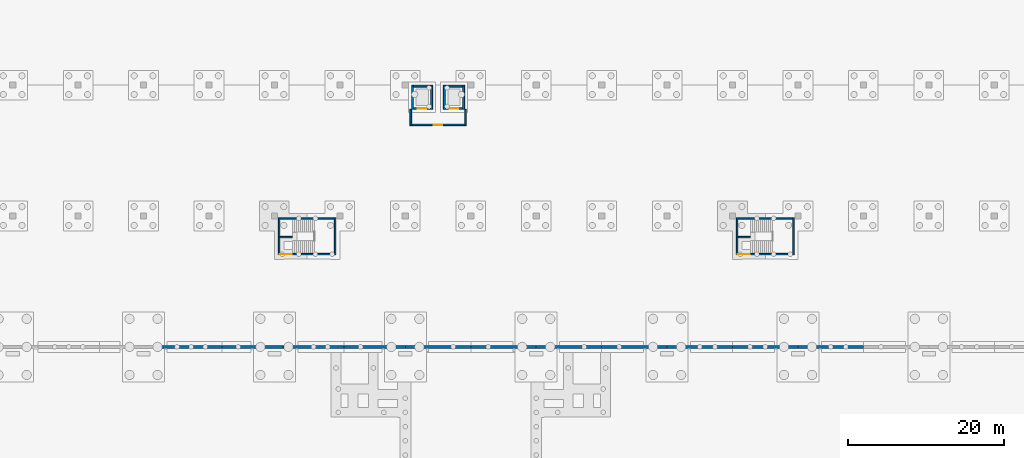
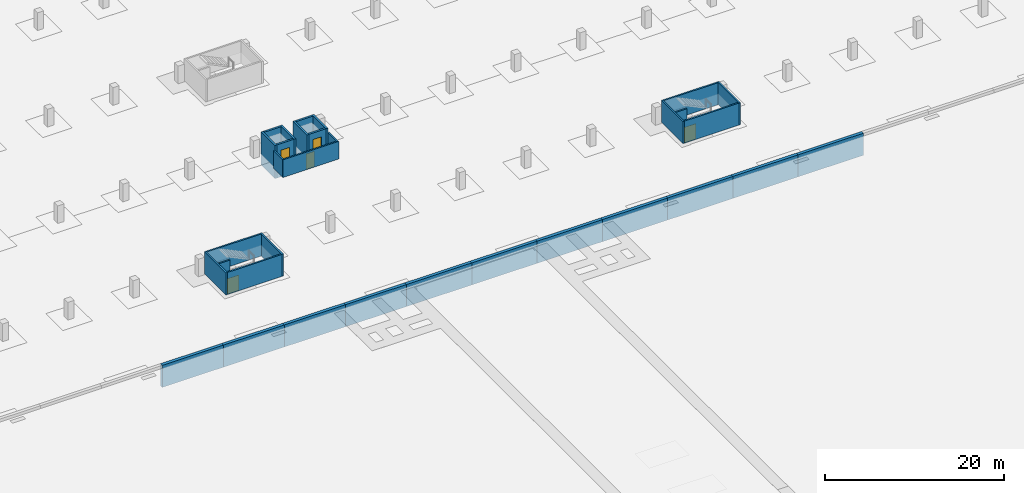
# One storey, part 42 of 67: 32 walls, 5 doors, 5 openings.
"""IFC4 building model written with IfcOpenShell, lengths in metres."""

from ifc_helpers import new_model, si_unit, direction, frame, frame_2d, origin, place, context, subcontext, project, spatial, rectangle, extrude, material, layer, layer_set, type_object, element, fill, save


model = new_model("IFC4")

# Units and contexts
model_context = context("Model", 3, precision=1e-05, world=origin(), true_north=direction((0.0, 1.0)))
body_context = subcontext(model_context, "Body", "Model", "MODEL_VIEW")
ifc_project = project(units=[si_unit("LENGTHUNIT", "METRE"), si_unit("AREAUNIT", "SQUARE_METRE"), si_unit("VOLUMEUNIT", "CUBIC_METRE"), si_unit("PLANEANGLEUNIT", "RADIAN"), si_unit("MASSUNIT", "GRAM", prefix="KILO")], contexts=[model_context])

# Site, building, storey
site_placement = place(None, origin())
site = spatial("IfcSite", under=ifc_project, at=site_placement, CompositionType="ELEMENT")
building_placement = place(site_placement, origin())
building = spatial("IfcBuilding", under=site, at=building_placement, Name="Rain Tree Exposition and Congress Centre", CompositionType="ELEMENT")
storey_placement = place(building_placement, frame((0.0, 0.0, -3.0)))
storey = spatial("IfcBuildingStorey", under=building, at=storey_placement, Name="B1", CompositionType="ELEMENT", Elevation=-3.0)

# Walls
ifc_material_1 = material(Name="Concrete C40/50", Category="concrete")
ifc_layer_1 = layer(ifc_material_1, 0.199951171875)
ifc_layer_set_1 = layer_set([ifc_layer_1], Name="Concrete C40/50")
wall_type_1 = type_object("IfcWallType", Name="Exit stair wall 200", PredefinedType="PARTITIONING", material=ifc_layer_set_1)
for number, where, z_axis, x_axis, name in (
    (1, (109.800048828125, 213.39990234375, 0.0), (0.0, 0.0, 1.0), (0.0, 1.0, 0.0), "Exit stair N02 wall west"),
    (2, (117.0, 213.39990234375, 0.0), (0.0, 0.0, 1.0), (0.0, 1.0, 0.0), "Exit stair N02 wall east"),
):
    element("IfcWall", number, at=place(storey_placement, frame(where, z_axis=z_axis, x_axis=x_axis)), inside=storey, type_object=wall_type_1, Name=name, PredefinedType="SOLIDWALL", context=body_context, shape_type="SweptSolid", body=[
        extrude(rectangle(XDim=4.800048828125, YDim=0.199951171875, at=frame_2d((2.39990234375, 0.0))), origin(), (0.0, 0.0, 1.0), 3.0),
    ])

# Wall, opening, door
wall_1_placement = place(storey_placement, frame((109.89990234375, 213.5, 0.0), z_axis=(0.0, 0.0, 1.0), x_axis=(1.0, 0.0, 0.0)))
wall_1 = element("IfcWall", 3, at=wall_1_placement, inside=storey, type_object=wall_type_1, Name="Exit stair N02 wall south", PredefinedType="SOLIDWALL", context=body_context, shape_type="SweptSolid", body=[
    extrude(rectangle(XDim=7.0, YDim=0.199951171875, at=frame_2d((3.5, 0.0))), origin(), (0.0, 0.0, 1.0), 3.0),
])
opening_1_placement = place(wall_1_placement, origin())
opening_1 = element("IfcOpeningElement", 4, at=opening_1_placement, cuts=wall_1, Name="Opening DS141", PredefinedType="OPENING", context=body_context, shape_type="SweptSolid", body=[
    extrude(rectangle(XDim=1.5, YDim=2.10009765625, at=frame_2d((0.75, 1.050048828125))), frame((0.0, 0.10009765625, 0.0), z_axis=(0.0, -1.0, 0.0), x_axis=(1.0, 0.0, 0.0)), (0.0, 0.0, 1.0), 0.199951171875),
])
ifc_material_2 = material(Name="Powder-coated steel", Category="steel")
door_type_1 = type_object("IfcDoorType", Name="Exit stair door 1500x2100", OperationType="NOTDEFINED", PredefinedType="DOOR", material=ifc_material_2)
door_1_placement = place(opening_1_placement, origin())
door_1 = element("IfcDoor", 5, at=door_1_placement, inside=storey, type_object=door_type_1, Name="Exit stair N02 door B1", OperationType="SINGLE_SWING_LEFT", OverallHeight=2.10009765625, OverallWidth=1.5, PredefinedType="DOOR", context=body_context, shape_type="SweptSolid", body=[
    extrude(rectangle(XDim=1.5, YDim=2.10009765625, at=frame_2d((0.75, 1.050048828125))), frame((0.0, 0.02490234375, 0.0), z_axis=(0.0, -1.0, 0.0), x_axis=(1.0, 0.0, 0.0)), (0.0, 0.0, 1.0), 0.050048828125),
])
fill(opening_1, door_1)

# Walls
wall_2_placement = place(storey_placement, frame((109.89990234375, 218.10009765625, 0.0), z_axis=(0.0, 0.0, 1.0), x_axis=(1.0, 0.0, 0.0)))
element("IfcWall", 6, at=wall_2_placement, inside=storey, type_object=wall_type_1, Name="Exit stair N02 wall north", PredefinedType="SOLIDWALL", context=body_context, shape_type="SweptSolid", body=[
    extrude(rectangle(XDim=7.0, YDim=0.199951171875, at=frame_2d((3.5, 0.0))), origin(), (0.0, 0.0, 1.0), 3.0),
])
wall_3_placement = place(storey_placement, frame((109.89990234375, 215.699951171875, 0.0), z_axis=(0.0, 0.0, 1.0), x_axis=(1.0, 0.0, 0.0)))
element("IfcWall", 7, at=wall_3_placement, inside=storey, type_object=wall_type_1, Name="Exit stair N02 landing support", PredefinedType="SOLIDWALL", context=body_context, shape_type="SweptSolid", body=[
    extrude(rectangle(XDim=1.60009765625, YDim=0.199951171875, at=frame_2d((0.800048828125, 0.0))), origin(), (0.0, 0.0, 1.0), 2.800048828125),
])
for number, where, z_axis, x_axis, name in (
    (8, (168.60009765625, 213.39990234375, 0.0), (0.0, 0.0, 1.0), (0.0, 1.0, 0.0), "Exit stair N03 wall west"),
    (9, (175.800048828125, 213.39990234375, 0.0), (0.0, 0.0, 1.0), (0.0, 1.0, 0.0), "Exit stair N03 wall east"),
):
    element("IfcWall", number, at=place(storey_placement, frame(where, z_axis=z_axis, x_axis=x_axis)), inside=storey, type_object=wall_type_1, Name=name, PredefinedType="SOLIDWALL", context=body_context, shape_type="SweptSolid", body=[
        extrude(rectangle(XDim=4.800048828125, YDim=0.199951171875, at=frame_2d((2.39990234375, 0.0))), origin(), (0.0, 0.0, 1.0), 3.0),
    ])

# Wall, opening, door
wall_4_placement = place(storey_placement, frame((168.699951171875, 213.5, 0.0), z_axis=(0.0, 0.0, 1.0), x_axis=(1.0, 0.0, 0.0)))
wall_4 = element("IfcWall", 10, at=wall_4_placement, inside=storey, type_object=wall_type_1, Name="Exit stair N03 wall south", PredefinedType="SOLIDWALL", context=body_context, shape_type="SweptSolid", body=[
    extrude(rectangle(XDim=7.0, YDim=0.199951171875, at=frame_2d((3.5, 0.0))), origin(), (0.0, 0.0, 1.0), 3.0),
])
opening_2_placement = place(wall_4_placement, origin())
opening_2 = element("IfcOpeningElement", 11, at=opening_2_placement, cuts=wall_4, Name="Opening DS143", PredefinedType="OPENING", context=body_context, shape_type="SweptSolid", body=[
    extrude(rectangle(XDim=1.5, YDim=2.10009765625, at=frame_2d((0.75, 1.050048828125))), frame((0.0, 0.10009765625, 0.0), z_axis=(0.0, -1.0, 0.0), x_axis=(1.0, 0.0, 0.0)), (0.0, 0.0, 1.0), 0.199951171875),
])
door_2_placement = place(opening_2_placement, origin())
door_2 = element("IfcDoor", 12, at=door_2_placement, inside=storey, type_object=door_type_1, Name="Exit stair N03 door B1", OperationType="SINGLE_SWING_LEFT", OverallHeight=2.10009765625, OverallWidth=1.5, PredefinedType="DOOR", context=body_context, shape_type="SweptSolid", body=[
    extrude(rectangle(XDim=1.5, YDim=2.10009765625, at=frame_2d((0.75, 1.050048828125))), frame((0.0, 0.02490234375, 0.0), z_axis=(0.0, -1.0, 0.0), x_axis=(1.0, 0.0, 0.0)), (0.0, 0.0, 1.0), 0.050048828125),
])
fill(opening_2, door_2)

# Walls
wall_5_placement = place(storey_placement, frame((168.699951171875, 218.10009765625, 0.0), z_axis=(0.0, 0.0, 1.0), x_axis=(1.0, 0.0, 0.0)))
element("IfcWall", 13, at=wall_5_placement, inside=storey, type_object=wall_type_1, Name="Exit stair N03 wall north", PredefinedType="SOLIDWALL", context=body_context, shape_type="SweptSolid", body=[
    extrude(rectangle(XDim=7.0, YDim=0.199951171875, at=frame_2d((3.5, 0.0))), origin(), (0.0, 0.0, 1.0), 3.0),
])
wall_6_placement = place(storey_placement, frame((168.699951171875, 215.699951171875, 0.0), z_axis=(0.0, 0.0, 1.0), x_axis=(1.0, 0.0, 0.0)))
element("IfcWall", 14, at=wall_6_placement, inside=storey, type_object=wall_type_1, Name="Exit stair N03 landing support", PredefinedType="SOLIDWALL", context=body_context, shape_type="SweptSolid", body=[
    extrude(rectangle(XDim=1.60009765625, YDim=0.199951171875, at=frame_2d((0.800048828125, 0.0))), origin(), (0.0, 0.0, 1.0), 2.800048828125),
])
ifc_material_3 = material(Name="Concrete C40/50", Category="concrete")
ifc_layer_2 = layer(ifc_material_3, 0.25)
ifc_layer_set_2 = layer_set([ifc_layer_2], Name="Concrete C40/50")
wall_type_2 = type_object("IfcWallType", Name="Lift shaft wall 250", PredefinedType="SHEAR", material=ifc_layer_set_2)
for number, where, z_axis, x_axis, name in (
    (15, (126.925048828125, 232.10009765625, -1.5), (0.0, 0.0, 1.0), (0.0, 1.0, 0.0), "Lift N1 shaft wall west"),
    (16, (129.375, 232.10009765625, -1.5), (0.0, 0.0, 1.0), (0.0, 1.0, 0.0), "Lift N1 shaft wall east"),
):
    element("IfcWall", number, at=place(storey_placement, frame(where, z_axis=z_axis, x_axis=x_axis)), inside=storey, type_object=wall_type_2, Name=name, PredefinedType="SHEAR", context=body_context, shape_type="SweptSolid", body=[
        extrude(rectangle(XDim=3.099853515625, YDim=0.25, at=frame_2d((1.5498046875, 0.0))), origin(), (0.0, 0.0, 1.0), 4.5),
    ])

# Wall, opening, door
wall_7_placement = place(storey_placement, frame((127.050048828125, 232.22509765625, -1.5), z_axis=(0.0, 0.0, 1.0), x_axis=(1.0, 0.0, 0.0)))
wall_7 = element("IfcWall", 17, at=wall_7_placement, inside=storey, type_object=wall_type_2, Name="Lift N1 shaft wall south", PredefinedType="SHEAR", context=body_context, shape_type="SweptSolid", body=[
    extrude(rectangle(XDim=2.199951171875, YDim=0.25, at=frame_2d((1.10009765625, 0.0))), origin(), (0.0, 0.0, 1.0), 4.5),
])
opening_3_placement = place(wall_7_placement, frame((0.550048828125, 0.0, 1.5)))
opening_3 = element("IfcOpeningElement", 18, at=opening_3_placement, cuts=wall_7, Name="Opening DS305", PredefinedType="OPENING", context=body_context, shape_type="SweptSolid", body=[
    extrude(rectangle(XDim=1.10009765625, YDim=2.10009765625, at=frame_2d((0.550048828125, 1.050048828125))), frame((0.0, 0.125, 0.0), z_axis=(0.0, -1.0, 0.0), x_axis=(1.0, 0.0, 0.0)), (0.0, 0.0, 1.0), 0.25),
])
ifc_material_4 = material(Name="Stainless steel", Category="steel")
door_type_2 = type_object("IfcDoorType", Name="Lift landing door 1100x2100", OperationType="DOUBLE_DOOR_SLIDING", PredefinedType="DOOR", material=ifc_material_4)
door_3_placement = place(opening_3_placement, origin())
door_3 = element("IfcDoor", 19, at=door_3_placement, inside=storey, type_object=door_type_2, Name="Landing door N1 B1", OperationType="DOUBLE_DOOR_SLIDING", OverallHeight=2.10009765625, OverallWidth=1.10009765625, PredefinedType="DOOR", context=body_context, shape_type="SweptSolid", body=[
    extrude(rectangle(XDim=1.10009765625, YDim=2.10009765625, at=frame_2d((0.550048828125, 1.050048828125))), frame((0.0, 0.02490234375, 0.0), z_axis=(0.0, -1.0, 0.0), x_axis=(1.0, 0.0, 0.0)), (0.0, 0.0, 1.0), 0.050048828125),
])
fill(opening_3, door_3)

# Walls
wall_8_placement = place(storey_placement, frame((127.050048828125, 235.074951171875, -1.5), z_axis=(0.0, 0.0, 1.0), x_axis=(1.0, 0.0, 0.0)))
element("IfcWall", 20, at=wall_8_placement, inside=storey, type_object=wall_type_2, Name="Lift N1 shaft wall north", PredefinedType="SHEAR", context=body_context, shape_type="SweptSolid", body=[
    extrude(rectangle(XDim=2.199951171875, YDim=0.25, at=frame_2d((1.10009765625, 0.0))), origin(), (0.0, 0.0, 1.0), 4.5),
])
for number, where, z_axis, x_axis, name in (
    (21, (131.02490234375, 232.10009765625, -1.5), (0.0, 0.0, 1.0), (0.0, 1.0, 0.0), "Lift N2 shaft wall west"),
    (22, (133.47509765625, 232.10009765625, -1.5), (0.0, 0.0, 1.0), (0.0, 1.0, 0.0), "Lift N2 shaft wall east"),
):
    element("IfcWall", number, at=place(storey_placement, frame(where, z_axis=z_axis, x_axis=x_axis)), inside=storey, type_object=wall_type_2, Name=name, PredefinedType="SHEAR", context=body_context, shape_type="SweptSolid", body=[
        extrude(rectangle(XDim=3.099853515625, YDim=0.25, at=frame_2d((1.5498046875, 0.0))), origin(), (0.0, 0.0, 1.0), 4.5),
    ])

# Wall, opening, door
wall_9_placement = place(storey_placement, frame((131.14990234375, 232.22509765625, -1.5), z_axis=(0.0, 0.0, 1.0), x_axis=(1.0, 0.0, 0.0)))
wall_9 = element("IfcWall", 23, at=wall_9_placement, inside=storey, type_object=wall_type_2, Name="Lift N2 shaft wall south", PredefinedType="SHEAR", context=body_context, shape_type="SweptSolid", body=[
    extrude(rectangle(XDim=2.2001953125, YDim=0.25, at=frame_2d((1.10009765625, 0.0))), origin(), (0.0, 0.0, 1.0), 4.5),
])
opening_4_placement = place(wall_9_placement, frame((0.550048828125, 0.0, 1.5)))
opening_4 = element("IfcOpeningElement", 24, at=opening_4_placement, cuts=wall_9, Name="Opening DS307", PredefinedType="OPENING", context=body_context, shape_type="SweptSolid", body=[
    extrude(rectangle(XDim=1.10009765625, YDim=2.10009765625, at=frame_2d((0.550048828125, 1.050048828125))), frame((0.0, 0.125, 0.0), z_axis=(0.0, -1.0, 0.0), x_axis=(1.0, 0.0, 0.0)), (0.0, 0.0, 1.0), 0.25),
])
door_4_placement = place(opening_4_placement, origin())
door_4 = element("IfcDoor", 25, at=door_4_placement, inside=storey, type_object=door_type_2, Name="Landing door N2 B1", OperationType="DOUBLE_DOOR_SLIDING", OverallHeight=2.10009765625, OverallWidth=1.10009765625, PredefinedType="DOOR", context=body_context, shape_type="SweptSolid", body=[
    extrude(rectangle(XDim=1.10009765625, YDim=2.10009765625, at=frame_2d((0.550048828125, 1.050048828125))), frame((0.0, 0.02490234375, 0.0), z_axis=(0.0, -1.0, 0.0), x_axis=(1.0, 0.0, 0.0)), (0.0, 0.0, 1.0), 0.050048828125),
])
fill(opening_4, door_4)

# Walls
wall_10_placement = place(storey_placement, frame((131.14990234375, 235.074951171875, -1.5), z_axis=(0.0, 0.0, 1.0), x_axis=(1.0, 0.0, 0.0)))
element("IfcWall", 26, at=wall_10_placement, inside=storey, type_object=wall_type_2, Name="Lift N2 shaft wall north", PredefinedType="SHEAR", context=body_context, shape_type="SweptSolid", body=[
    extrude(rectangle(XDim=2.2001953125, YDim=0.25, at=frame_2d((1.10009765625, 0.0))), origin(), (0.0, 0.0, 1.0), 4.5),
])
ifc_material_5 = material(Name="Concrete C40/50", Category="concrete")
ifc_layer_3 = layer(ifc_material_5, 0.199951171875)
ifc_layer_set_3 = layer_set([ifc_layer_3], Name="Concrete C40/50")
wall_type_3 = type_object("IfcWallType", Name="Lobby wall 200", PredefinedType="PARTITIONING", material=ifc_layer_set_3)
for number, where, z_axis, x_axis, name in (
    (27, (126.699951171875, 230.10009765625, 0.0), (0.0, 0.0, 1.0), (0.0, 1.0, 0.0), "North lift lobby wall west"),
    (28, (133.699951171875, 230.10009765625, 0.0), (0.0, 0.0, 1.0), (0.0, 1.0, 0.0), "North lift lobby wall east"),
):
    element("IfcWall", number, at=place(storey_placement, frame(where, z_axis=z_axis, x_axis=x_axis)), inside=storey, type_object=wall_type_3, Name=name, PredefinedType="PARTITIONING", context=body_context, shape_type="SweptSolid", body=[
        extrude(rectangle(XDim=2.0, YDim=0.199951171875, at=frame_2d((1.0, 0.0))), origin(), (0.0, 0.0, 1.0), 2.39990234375),
    ])

# Wall, opening, door
wall_11_placement = place(storey_placement, frame((126.60009765625, 230.10009765625, 0.0), z_axis=(0.0, 0.0, 1.0), x_axis=(1.0, 0.0, 0.0)))
wall_11 = element("IfcWall", 29, at=wall_11_placement, inside=storey, type_object=wall_type_3, Name="North lift lobby wall south", PredefinedType="PARTITIONING", context=body_context, shape_type="SweptSolid", body=[
    extrude(rectangle(XDim=7.199951171875, YDim=0.199951171875, at=frame_2d((3.60009765625, 0.0))), origin(), (0.0, 0.0, 1.0), 2.39990234375),
])
opening_5_placement = place(wall_11_placement, frame((3.050048828125, 0.0, 0.0)))
opening_5 = element("IfcOpeningElement", 30, at=opening_5_placement, cuts=wall_11, Name="Opening DS399", PredefinedType="OPENING", context=body_context, shape_type="SweptSolid", body=[
    extrude(rectangle(XDim=1.10009765625, YDim=2.10009765625, at=frame_2d((0.550048828125, 1.050048828125))), frame((0.0, 0.10009765625, 0.0), z_axis=(0.0, -1.0, 0.0), x_axis=(1.0, 0.0, 0.0)), (0.0, 0.0, 1.0), 0.199951171875),
])
ifc_material_6 = material(Name="Powder-coated steel", Category="steel")
door_type_3 = type_object("IfcDoorType", Name="Fire door 1100x2100", OperationType="NOTDEFINED", PredefinedType="DOOR", material=ifc_material_6)
door_5_placement = place(opening_5_placement, origin())
door_5 = element("IfcDoor", 31, at=door_5_placement, inside=storey, type_object=door_type_3, Name="North lift lobby door", OperationType="SINGLE_SWING_LEFT", OverallHeight=2.10009765625, OverallWidth=1.10009765625, PredefinedType="DOOR", context=body_context, shape_type="SweptSolid", body=[
    extrude(rectangle(XDim=1.10009765625, YDim=2.10009765625, at=frame_2d((0.550048828125, 1.050048828125))), frame((0.0, 0.02490234375, 0.0), z_axis=(0.0, -1.0, 0.0), x_axis=(1.0, 0.0, 0.0)), (0.0, 0.0, 1.0), 0.050048828125),
])
fill(opening_5, door_5)

# Walls
ifc_material_7 = material(Name="Concrete C40/50", Category="concrete")
ifc_layer_4 = layer(ifc_material_7, 0.39990234375)
ifc_layer_set_4 = layer_set([ifc_layer_4], Name="Concrete C40/50")
wall_type_4 = type_object("IfcWallType", Name="Precast retaining wall 400", PredefinedType="SOLIDWALL", material=ifc_layer_set_4)
for number, where, z_axis, x_axis, name in (
    (32, (94.586669921875, 201.60009765625, 0.0), (0.0, 0.0, 1.0), (1.0, 0.0, 0.0), "Retaining wall 060"),
    (33, (102.43994140625, 201.60009765625, 0.0), (0.0, 0.0, 1.0), (1.0, 0.0, 0.0), "Retaining wall 061"),
):
    element("IfcWall", number, at=place(storey_placement, frame(where, z_axis=z_axis, x_axis=x_axis)), inside=storey, type_object=wall_type_4, Name=name, PredefinedType="SOLIDWALL", context=body_context, shape_type="SweptSolid", body=[
        extrude(rectangle(XDim=7.853271484375, YDim=0.39990234375, at=frame_2d((3.9267578125, 0.0))), origin(), (0.0, 0.0, 1.0), 3.0),
    ])
wall_12_placement = place(storey_placement, frame((110.293212890625, 201.60009765625, 0.0), z_axis=(0.0, 0.0, 1.0), x_axis=(1.0, 0.0, 0.0)))
element("IfcWall", 34, at=wall_12_placement, inside=storey, type_object=wall_type_4, Name="Retaining wall 062", PredefinedType="SOLIDWALL", context=body_context, shape_type="SweptSolid", body=[
    extrude(rectangle(XDim=7.853515625, YDim=0.39990234375, at=frame_2d((3.9267578125, 0.0))), origin(), (0.0, 0.0, 1.0), 3.0),
])
wall_13_placement = place(storey_placement, frame((118.146728515625, 201.60009765625, 0.0), z_axis=(0.0, 0.0, 1.0), x_axis=(1.0, 0.0, 0.0)))
element("IfcWall", 35, at=wall_13_placement, inside=storey, type_object=wall_type_4, Name="Retaining wall 063", PredefinedType="SOLIDWALL", context=body_context, shape_type="SweptSolid", body=[
    extrude(rectangle(XDim=7.853271484375, YDim=0.39990234375, at=frame_2d((3.9267578125, 0.0))), origin(), (0.0, 0.0, 1.0), 3.0),
])
wall_14_placement = place(storey_placement, frame((126.0, 201.60009765625, 0.0), z_axis=(0.0, 0.0, 1.0), x_axis=(1.0, 0.0, 0.0)))
element("IfcWall", 36, at=wall_14_placement, inside=storey, type_object=wall_type_4, Name="Retaining wall 064", PredefinedType="SOLIDWALL", context=body_context, shape_type="SweptSolid", body=[
    extrude(rectangle(XDim=8.39990234375, YDim=0.39990234375, at=frame_2d((4.199951171875, 0.0))), origin(), (0.0, 0.0, 1.0), 3.0),
])
wall_15_placement = place(storey_placement, frame((134.39990234375, 201.60009765625, 0.0), z_axis=(0.0, 0.0, 1.0), x_axis=(1.0, 0.0, 0.0)))
element("IfcWall", 37, at=wall_15_placement, inside=storey, type_object=wall_type_4, Name="Retaining wall 065", PredefinedType="SOLIDWALL", context=body_context, shape_type="SweptSolid", body=[
    extrude(rectangle(XDim=8.400146484375, YDim=0.39990234375, at=frame_2d((4.2001953125, 0.0))), origin(), (0.0, 0.0, 1.0), 3.0),
])
wall_16_placement = place(storey_placement, frame((142.800048828125, 201.60009765625, 0.0), z_axis=(0.0, 0.0, 1.0), x_axis=(1.0, 0.0, 0.0)))
element("IfcWall", 38, at=wall_16_placement, inside=storey, type_object=wall_type_4, Name="Retaining wall 066", PredefinedType="SOLIDWALL", context=body_context, shape_type="SweptSolid", body=[
    extrude(rectangle(XDim=8.39990234375, YDim=0.39990234375, at=frame_2d((4.199951171875, 0.0))), origin(), (0.0, 0.0, 1.0), 3.0),
])
wall_17_placement = place(storey_placement, frame((151.199951171875, 201.60009765625, 0.0), z_axis=(0.0, 0.0, 1.0), x_axis=(1.0, 0.0, 0.0)))
element("IfcWall", 39, at=wall_17_placement, inside=storey, type_object=wall_type_4, Name="Retaining wall 067", PredefinedType="SOLIDWALL", context=body_context, shape_type="SweptSolid", body=[
    extrude(rectangle(XDim=8.400146484375, YDim=0.39990234375, at=frame_2d((4.2001953125, 0.0))), origin(), (0.0, 0.0, 1.0), 3.0),
])
for number, where, z_axis, x_axis, name in (
    (40, (159.60009765625, 201.60009765625, 0.0), (0.0, 0.0, 1.0), (1.0, 0.0, 0.0), "Retaining wall 068"),
    (41, (168.0, 201.60009765625, 0.0), (0.0, 0.0, 1.0), (1.0, 0.0, 0.0), "Retaining wall 069"),
):
    element("IfcWall", number, at=place(storey_placement, frame(where, z_axis=z_axis, x_axis=x_axis)), inside=storey, type_object=wall_type_4, Name=name, PredefinedType="SOLIDWALL", context=body_context, shape_type="SweptSolid", body=[
        extrude(rectangle(XDim=8.39990234375, YDim=0.39990234375, at=frame_2d((4.199951171875, 0.0))), origin(), (0.0, 0.0, 1.0), 3.0),
    ])
wall_18_placement = place(storey_placement, frame((176.39990234375, 201.60009765625, 0.0), z_axis=(0.0, 0.0, 1.0), x_axis=(1.0, 0.0, 0.0)))
element("IfcWall", 42, at=wall_18_placement, inside=storey, type_object=wall_type_4, Name="Retaining wall 070", PredefinedType="SOLIDWALL", context=body_context, shape_type="SweptSolid", body=[
    extrude(rectangle(XDim=8.400146484375, YDim=0.39990234375, at=frame_2d((4.2001953125, 0.0))), origin(), (0.0, 0.0, 1.0), 3.0),
])

save(model, "model.ifc")
